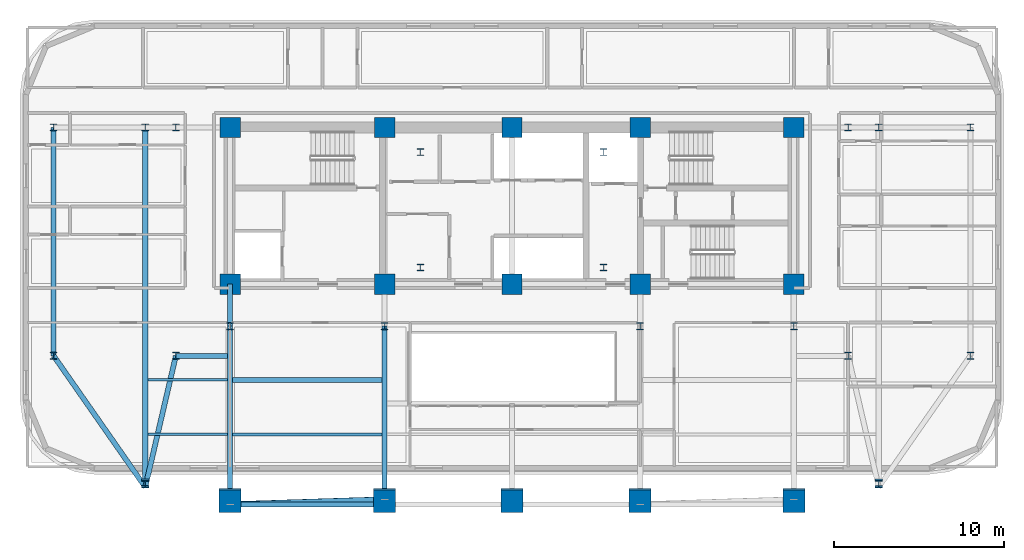
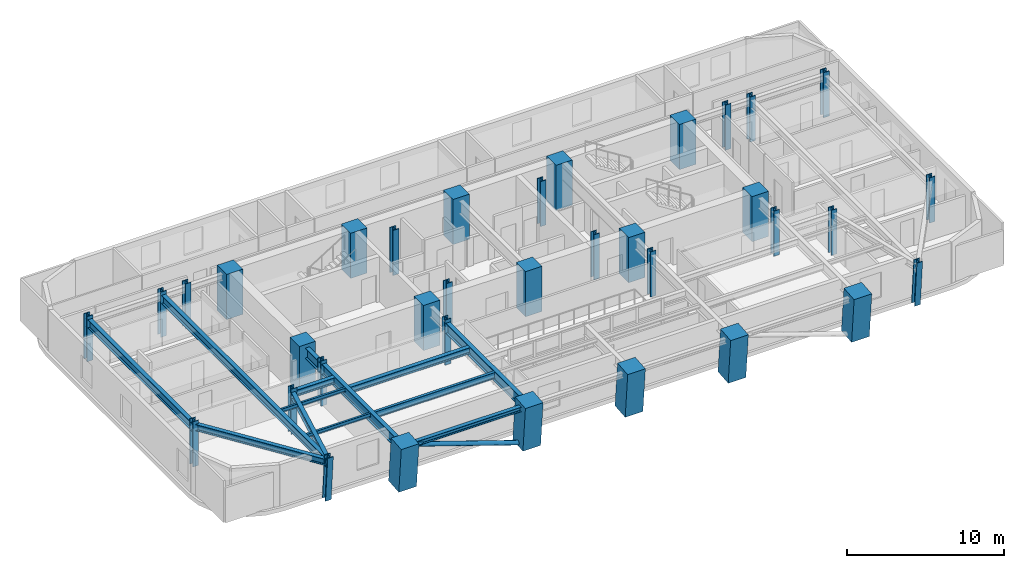
# One storey, part 1 of 14: 35 columns, 13 beams, 1 member.
"""IFC4 building model written with IfcOpenShell, lengths in metres."""

from ifc_helpers import new_model, si_unit, direction, frame, origin, origin_2d, place, context, subcontext, project, spatial, rectangle, hollow_circle, i_section, extrude, material, material_profile, profile_set, type_object, element, save


model = new_model("IFC4")

# Units and contexts
model_context = context("Model", 3, precision=1e-05, world=origin(), true_north=direction((0.0, 1.0)))
body_context = subcontext(model_context, "Body", "Model", "MODEL_VIEW")
ifc_project = project(units=[si_unit("LENGTHUNIT", "METRE"), si_unit("AREAUNIT", "SQUARE_METRE"), si_unit("VOLUMEUNIT", "CUBIC_METRE"), si_unit("PLANEANGLEUNIT", "RADIAN"), si_unit("MASSUNIT", "GRAM", prefix="KILO")], contexts=[model_context])

# Site, building, storey
site_placement = place(None, origin())
site = spatial("IfcSite", under=ifc_project, at=site_placement, CompositionType="ELEMENT")
building_placement = place(site_placement, origin())
building = spatial("IfcBuilding", under=site, at=building_placement, Name="Zarnavel Station Tower", CompositionType="ELEMENT")
storey_placement = place(building_placement, frame((0.0, 0.0, 122.300048828125)))
storey = spatial("IfcBuildingStorey", under=building, at=storey_placement, Name="L33", CompositionType="ELEMENT", Elevation=122.300048828125)

# Columns
ifc_material_1 = material(Name="Steel S460M", Category="steel")
ifc_material_profile_1 = material_profile(ifc_material_1, i_section(OverallWidth=0.41796875, OverallDepth=0.431884765625, WebThickness=0.034912109375, FlangeThickness=0.055908203125, FilletRadius=0.014892578125, at=origin_2d()), Name="HD400x421")
ifc_profile_set_1 = profile_set([ifc_material_profile_1], Name="Steel S460M")
column_type_1 = type_object("IfcColumnType", Name="EC_HD421", PredefinedType="COLUMN", material=ifc_profile_set_1)
for number, where, z_axis, x_axis, name in (
    (1, (1.800048828125, 23.60009765625, 0.0), (0.0, 0.0, 1.0), (1.0, 0.0, 0.0), "L33 Outer Wing South Column 1"),
    (2, (1.800048828125, 37.050048828125, 0.0), (0.0, 0.0, 1.0), (1.0, 0.0, 0.0), "L33 Outer Wing North Column 1"),
):
    element("IfcColumn", number, at=place(storey_placement, frame(where, z_axis=z_axis, x_axis=x_axis)), inside=storey, type_object=column_type_1, Name=name, PredefinedType="COLUMN", context=body_context, shape_type="SweptSolid", body=[
        extrude(i_section(OverallWidth=0.41796875, OverallDepth=0.431884765625, WebThickness=0.034912109375, FlangeThickness=0.055908203125, FilletRadius=0.014892578125, at=origin_2d()), origin(), (0.0, 0.0, 1.0), 3.5),
    ])
for number, where, z_axis, x_axis, name in (
    (3, (7.199951171875, 16.1220703125, 0.0), (0.0, -0.079891690793, 0.996803550226), (1.0, 0.0, 0.0), "L33 Raked Wing Column 2"),
    (4, (50.39990234375, 16.1220703125, 0.0), (0.0, -0.079891690793, 0.996803550226), (1.0, 0.0, 0.0), "L33 Raked Wing Column 3"),
):
    element("IfcColumn", number, at=place(storey_placement, frame(where, z_axis=z_axis, x_axis=x_axis)), inside=storey, type_object=column_type_1, Name=name, PredefinedType="COLUMN", context=body_context, shape_type="SweptSolid", body=[
        extrude(i_section(OverallWidth=0.41796875, OverallDepth=0.431884765625, WebThickness=0.034912109375, FlangeThickness=0.055908203125, FilletRadius=0.014892578125, at=origin_2d()), origin(), (0.0, 0.0, 1.0), 3.51123046875),
    ])
for number, where, z_axis, x_axis, name in (
    (5, (55.800048828125, 23.60009765625, 0.0), (0.0, 0.0, 1.0), (1.0, 0.0, 0.0), "L33 Outer Wing South Column 4"),
    (6, (55.800048828125, 37.050048828125, 0.0), (0.0, 0.0, 1.0), (1.0, 0.0, 0.0), "L33 Outer Wing North Column 4"),
):
    element("IfcColumn", number, at=place(storey_placement, frame(where, z_axis=z_axis, x_axis=x_axis)), inside=storey, type_object=column_type_1, Name=name, PredefinedType="COLUMN", context=body_context, shape_type="SweptSolid", body=[
        extrude(i_section(OverallWidth=0.41796875, OverallDepth=0.431884765625, WebThickness=0.034912109375, FlangeThickness=0.055908203125, FilletRadius=0.014892578125, at=origin_2d()), origin(), (0.0, 0.0, 1.0), 3.5),
    ])
ifc_material_2 = material(Name="Steel S460M", Category="steel")
ifc_material_profile_2 = material_profile(ifc_material_2, i_section(OverallWidth=0.41796875, OverallDepth=0.431884765625, WebThickness=0.034912109375, FlangeThickness=0.055908203125, FilletRadius=0.014892578125, at=origin_2d()), Name="HD400x421")
ifc_profile_set_2 = profile_set([ifc_material_profile_2], Name="Steel S460M")
column_type_2 = type_object("IfcColumnType", Name="IC_HD421", PredefinedType="COLUMN", material=ifc_profile_set_2)
for number, where, z_axis, x_axis, name in (
    (7, (23.39990234375, 28.800048828125, 0.0), (0.0, 0.0, 1.0), (1.0, 0.0, 0.0), "L33 Mast Spine Column 1"),
    (8, (34.199951171875, 28.800048828125, 0.0), (0.0, 0.0, 1.0), (1.0, 0.0, 0.0), "L33 Mast Spine Column 2"),
    (9, (34.199951171875, 35.60009765625, 0.0), (0.0, 0.0, 1.0), (1.0, 0.0, 0.0), "L33 Mast Spine Column 3"),
    (10, (23.39990234375, 35.60009765625, 0.0), (0.0, 0.0, 1.0), (1.0, 0.0, 0.0), "L33 Mast Spine Column 4"),
    (11, (12.199951171875, 25.35009765625, 0.0), (0.0, 0.0, 1.0), (1.0, 0.0, 0.0), "L33 Inner Spine Column 1"),
    (12, (21.300048828125, 25.35009765625, 0.0), (0.0, 0.0, 1.0), (1.0, 0.0, 0.0), "L33 Inner Spine Column 2"),
    (13, (36.35009765625, 25.35009765625, 0.0), (0.0, 0.0, 1.0), (1.0, 0.0, 0.0), "L33 Inner Spine Column 4"),
    (14, (45.39990234375, 25.35009765625, 0.0), (0.0, 0.0, 1.0), (1.0, 0.0, 0.0), "L33 Inner Spine Column 5"),
    (15, (9.0, 23.60009765625, 0.0), (0.0, 0.0, 1.0), (1.0, 0.0, 0.0), "L33 Inner Wing Spine Column 1-1"),
    (16, (9.0, 37.050048828125, 0.0), (0.0, 0.0, 1.0), (1.0, 0.0, 0.0), "L33 Inner Wing Spine Column 1-2"),
    (17, (48.60009765625, 23.60009765625, 0.0), (0.0, 0.0, 1.0), (1.0, 0.0, 0.0), "L33 Inner Wing Spine Column 2-1"),
    (18, (48.60009765625, 37.050048828125, 0.0), (0.0, 0.0, 1.0), (1.0, 0.0, 0.0), "L33 Inner Wing Spine Column 2-2"),
    (19, (7.199951171875, 37.050048828125, 0.0), (0.0, 0.0, 1.0), (1.0, 0.0, 0.0), "L33 Outer Wing North Column 2"),
    (20, (50.39990234375, 37.050048828125, 0.0), (0.0, 0.0, 1.0), (1.0, 0.0, 0.0), "L33 Outer Wing North Column 3"),
):
    element("IfcColumn", number, at=place(storey_placement, frame(where, z_axis=z_axis, x_axis=x_axis)), inside=storey, type_object=column_type_2, Name=name, PredefinedType="COLUMN", context=body_context, shape_type="SweptSolid", body=[
        extrude(i_section(OverallWidth=0.41796875, OverallDepth=0.431884765625, WebThickness=0.034912109375, FlangeThickness=0.055908203125, FilletRadius=0.014892578125, at=origin_2d()), origin(), (0.0, 0.0, 1.0), 3.5),
    ])
ifc_material_3 = material(Name="Concrete C50/60", Category="concrete")
ifc_material_profile_3 = material_profile(ifc_material_3, rectangle(XDim=1.199951171875, YDim=1.199951171875, at=origin_2d()), Name="RC1200x1200")
ifc_profile_set_3 = profile_set([ifc_material_profile_3], Name="Concrete C50/60")
column_type_3 = type_object("IfcColumnType", Name="IC_RC1200", PredefinedType="COLUMN", material=ifc_profile_set_3)
for number, where, z_axis, x_axis, name in (
    (21, (12.199951171875, 27.820068359375, 0.0), (0.0, 0.0, 1.0), (1.0, 0.0, 0.0), "L33 Core Spine Column 1-1"),
    (22, (12.199951171875, 37.050048828125, 0.0), (0.0, 0.0, 1.0), (1.0, 0.0, 0.0), "L33 Core Spine Column 1-2"),
    (23, (21.300048828125, 27.820068359375, 0.0), (0.0, 0.0, 1.0), (1.0, 0.0, 0.0), "L33 Core Spine Column 2-1"),
    (24, (21.300048828125, 37.050048828125, 0.0), (0.0, 0.0, 1.0), (1.0, 0.0, 0.0), "L33 Core Spine Column 2-2"),
    (25, (28.800048828125, 27.820068359375, 0.0), (0.0, 0.0, 1.0), (1.0, 0.0, 0.0), "L33 Core Spine Column 3-1"),
    (26, (28.800048828125, 37.050048828125, 0.0), (0.0, 0.0, 1.0), (1.0, 0.0, 0.0), "L33 Core Spine Column 3-2"),
    (27, (36.35009765625, 27.820068359375, 0.0), (0.0, 0.0, 1.0), (1.0, 0.0, 0.0), "L33 Core Spine Column 4-1"),
    (28, (36.35009765625, 37.050048828125, 0.0), (0.0, 0.0, 1.0), (1.0, 0.0, 0.0), "L33 Core Spine Column 4-2"),
    (29, (45.39990234375, 27.820068359375, 0.0), (0.0, 0.0, 1.0), (1.0, 0.0, 0.0), "L33 Core Spine Column 5-1"),
    (30, (45.39990234375, 37.050048828125, 0.0), (0.0, 0.0, 1.0), (1.0, 0.0, 0.0), "L33 Core Spine Column 5-2"),
):
    element("IfcColumn", number, at=place(storey_placement, frame(where, z_axis=z_axis, x_axis=x_axis)), inside=storey, type_object=column_type_3, Name=name, PredefinedType="COLUMN", context=body_context, shape_type="SweptSolid", body=[
        extrude(rectangle(XDim=1.199951171875, YDim=1.199951171875, at=origin_2d()), origin(), (0.0, 0.0, 1.0), 3.5),
    ])
ifc_material_4 = material(Name="Concrete C60/75", Category="concrete")
ifc_material_profile_4 = material_profile(ifc_material_4, rectangle(XDim=1.300048828125, YDim=1.300048828125, at=origin_2d()), Name="RC1300x1300")
ifc_profile_set_4 = profile_set([ifc_material_profile_4], Name="Concrete C60/75")
column_type_4 = type_object("IfcColumnType", Name="MC_RC1300", PredefinedType="COLUMN", material=ifc_profile_set_4)
for number, where, z_axis, x_axis, name in (
    (31, (12.199951171875, 15.145263671875, 0.0), (0.0, -0.090310252801, 0.995913680114), (1.0, 0.0, 0.0), "L33 Raked South Mega-Column 1"),
    (32, (21.300048828125, 15.145263671875, 0.0), (0.0, -0.090310252801, 0.995913680114), (1.0, 0.0, 0.0), "L33 Raked South Mega-Column 2"),
    (33, (28.800048828125, 15.145263671875, 0.0), (0.0, -0.090310252801, 0.995913680114), (1.0, 0.0, 0.0), "L33 Raked South Mega-Column 3"),
    (34, (36.35009765625, 15.145263671875, 0.0), (0.0, -0.090310252801, 0.995913680114), (1.0, 0.0, 0.0), "L33 Raked South Mega-Column 4"),
    (35, (45.39990234375, 15.145263671875, 0.0), (0.0, -0.090310252801, 0.995913680114), (1.0, 0.0, 0.0), "L33 Raked South Mega-Column 5"),
):
    element("IfcColumn", number, at=place(storey_placement, frame(where, z_axis=z_axis, x_axis=x_axis)), inside=storey, type_object=column_type_4, Name=name, PredefinedType="COLUMN", context=body_context, shape_type="SweptSolid", body=[
        extrude(rectangle(XDim=1.300048828125, YDim=1.300048828125, at=origin_2d()), origin(), (0.0, 0.0, 1.0), 3.514404296875),
    ])

# Member
ifc_material_5 = material(Name="Steel S355J2", Category="steel")
ifc_material_profile_5 = material_profile(ifc_material_5, hollow_circle(Radius=0.161865234375, WallThickness=0.012451171875, at=origin_2d()), Name="CHS323.9x12.5")
ifc_profile_set_5 = profile_set([ifc_material_profile_5], Name="Steel S355J2")
member_type = type_object("IfcMemberType", Name="DB_EXT_CHS324", PredefinedType="BRACE", material=ifc_profile_set_5)
member_placement = place(storey_placement, frame((21.300048828125, 15.145263671875, 0.0), z_axis=(-0.941635675338, -0.030390827854, 0.335259082669), x_axis=(0.032257711549, -0.999479584607, 0.0)))
element("IfcMember", 36, at=member_placement, inside=storey, type_object=member_type, Name="L33 Persian Exterior Diagonal Frame Brace 1", PredefinedType="BRACE", context=body_context, shape_type="SweptSolid", body=[
    extrude(hollow_circle(Radius=0.161865234375, WallThickness=0.012451171875, at=origin_2d()), origin(), (0.0, 0.0, 1.0), 9.6640625),
])

# Beams
ifc_material_6 = material(Name="Steel S355J2", Category="steel")
ifc_material_profile_6 = material_profile(ifc_material_6, i_section(OverallWidth=0.300048828125, OverallDepth=0.360107421875, WebThickness=0.012451171875, FlangeThickness=0.0224609375, FilletRadius=0.027099609375, at=origin_2d()), Name="HEB360")
ifc_profile_set_6 = profile_set([ifc_material_profile_6], Name="Steel S355J2")
beam_type_1 = type_object("IfcBeamType", Name="EB_HEB360", PredefinedType="SPANDREL", material=ifc_profile_set_6)
beam_1_placement = place(storey_placement, frame((12.199951171875, 14.8515625, 3.06005859375), z_axis=(1.0, 0.0, 0.0), x_axis=(0.0, 1.0, 0.0)))
element("IfcBeam", 37, at=beam_1_placement, inside=storey, type_object=beam_type_1, Name="L33 South Raked Spandrel 1", PredefinedType="SPANDREL", context=body_context, shape_type="SweptSolid", body=[
    extrude(i_section(OverallWidth=0.300048828125, OverallDepth=0.360107421875, WebThickness=0.012451171875, FlangeThickness=0.0224609375, FilletRadius=0.027099609375, at=origin_2d()), origin(), (0.0, 0.0, 1.0), 9.10009765625),
])
ifc_material_7 = material(Name="Steel S355J2", Category="steel")
ifc_material_profile_7 = material_profile(ifc_material_7, i_section(OverallWidth=0.300048828125, OverallDepth=0.489990234375, WebThickness=0.011962890625, FlangeThickness=0.02294921875, FilletRadius=0.027099609375, at=origin_2d()), Name="HEA500")
ifc_profile_set_7 = profile_set([ifc_material_profile_7], Name="Steel S355J2")
beam_type_2 = type_object("IfcBeamType", Name="FB_HEA500", PredefinedType="BEAM", material=ifc_profile_set_7)
beam_2_placement = place(storey_placement, frame((12.344970703125, 22.183837890625, 2.994873046875), z_axis=(1.0, 0.0, 0.0), x_axis=(0.0, 1.0, 0.0)))
element("IfcBeam", 38, at=beam_2_placement, inside=storey, type_object=beam_type_2, Name="L33 West Bay Beam 2", PredefinedType="BEAM", context=body_context, shape_type="SweptSolid", body=[
    extrude(i_section(OverallWidth=0.300048828125, OverallDepth=0.489990234375, WebThickness=0.011962890625, FlangeThickness=0.02294921875, FilletRadius=0.027099609375, at=origin_2d()), origin(), (0.0, 0.0, 1.0), 8.81005859375),
])
ifc_material_8 = material(Name="Steel S355J2", Category="steel")
ifc_material_profile_8 = material_profile(ifc_material_8, i_section(OverallWidth=0.199951171875, OverallDepth=0.5, WebThickness=0.01025390625, FlangeThickness=0.01611328125, FilletRadius=0.02099609375, at=origin_2d()), Name="IPE500")
ifc_profile_set_8 = profile_set([ifc_material_profile_8], Name="Steel S355J2")
beam_type_3 = type_object("IfcBeamType", Name="FB_IPE500", PredefinedType="BEAM", material=ifc_profile_set_8)
beam_3_placement = place(storey_placement, frame((12.344970703125, 18.9677734375, 2.989990234375), z_axis=(1.0, 0.0, 0.0), x_axis=(0.0, 1.0, 0.0)))
element("IfcBeam", 39, at=beam_3_placement, inside=storey, type_object=beam_type_3, Name="L33 West Bay Beam 1", PredefinedType="BEAM", context=body_context, shape_type="SweptSolid", body=[
    extrude(i_section(OverallWidth=0.199951171875, OverallDepth=0.5, WebThickness=0.01025390625, FlangeThickness=0.01611328125, FilletRadius=0.02099609375, at=origin_2d()), origin(), (0.0, 0.0, 1.0), 8.81005859375),
])
ifc_material_9 = material(Name="Steel S355J2", Category="steel")
ifc_material_profile_9 = material_profile(ifc_material_9, i_section(OverallWidth=0.300048828125, OverallDepth=0.5, WebThickness=0.014404296875, FlangeThickness=0.028076171875, FilletRadius=0.027099609375, at=origin_2d()), Name="HEB500")
ifc_profile_set_9 = profile_set([ifc_material_profile_9], Name="Steel S355J2")
beam_type_4 = type_object("IfcBeamType", Name="FG_HEB500", PredefinedType="USERDEFINED", material=ifc_profile_set_9)
beam_4_placement = place(storey_placement, frame((1.800048828125, 23.60009765625, 2.989990234375), z_axis=(0.572284391616, -0.820055226868, 0.0), x_axis=(0.820055226868, 0.572284391616, 0.0)))
element("IfcBeam", 40, at=beam_4_placement, inside=storey, type_object=beam_type_4, Name="L33 West Wing South Tie 1", ObjectType="GIRDER", PredefinedType="USERDEFINED", context=body_context, shape_type="SweptSolid", body=[
    extrude(i_section(OverallWidth=0.300048828125, OverallDepth=0.5, WebThickness=0.014404296875, FlangeThickness=0.028076171875, FilletRadius=0.027099609375, at=origin_2d()), origin(), (0.0, 0.0, 1.0), 9.435791015625),
])
beam_5_placement = place(storey_placement, frame((7.199951171875, 15.8623046875, 2.989990234375), z_axis=(0.226580616964, 0.973992414763, 0.0), x_axis=(-0.973992414763, 0.226580616964, 0.0)))
element("IfcBeam", 41, at=beam_5_placement, inside=storey, type_object=beam_type_4, Name="L33 West Wing South Tie 2", ObjectType="GIRDER", PredefinedType="USERDEFINED", context=body_context, shape_type="SweptSolid", body=[
    extrude(i_section(OverallWidth=0.300048828125, OverallDepth=0.5, WebThickness=0.014404296875, FlangeThickness=0.028076171875, FilletRadius=0.027099609375, at=origin_2d()), origin(), (0.0, 0.0, 1.0), 7.9443359375),
])
beam_6_placement = place(storey_placement, frame((9.0, 23.60009765625, 2.989990234375), z_axis=(1.0, 0.0, 0.0), x_axis=(0.0, 1.0, 0.0)))
element("IfcBeam", 42, at=beam_6_placement, inside=storey, type_object=beam_type_4, Name="L33 West Wing South Tie 3", ObjectType="GIRDER", PredefinedType="USERDEFINED", context=body_context, shape_type="SweptSolid", body=[
    extrude(i_section(OverallWidth=0.300048828125, OverallDepth=0.5, WebThickness=0.014404296875, FlangeThickness=0.028076171875, FilletRadius=0.027099609375, at=origin_2d()), origin(), (0.0, 0.0, 1.0), 3.054931640625),
])
ifc_material_10 = material(Name="Steel S355J2", Category="steel")
ifc_material_profile_10 = material_profile(ifc_material_10, i_section(OverallWidth=0.300048828125, OverallDepth=0.64990234375, WebThickness=0.01611328125, FlangeThickness=0.031005859375, FilletRadius=0.027099609375, at=origin_2d()), Name="HEB650")
ifc_profile_set_10 = profile_set([ifc_material_profile_10], Name="Steel S355J2")
beam_type_5 = type_object("IfcBeamType", Name="FG_HEB650", PredefinedType="USERDEFINED", material=ifc_profile_set_10)
beam_7_placement = place(storey_placement, frame((1.800048828125, 23.60009765625, 2.9150390625), z_axis=(0.0, 1.0, 0.0), x_axis=(-1.0, 0.0, 0.0)))
element("IfcBeam", 43, at=beam_7_placement, inside=storey, type_object=beam_type_5, Name="L33 Wing NS Girder 1", ObjectType="GIRDER", PredefinedType="USERDEFINED", context=body_context, shape_type="SweptSolid", body=[
    extrude(i_section(OverallWidth=0.300048828125, OverallDepth=0.64990234375, WebThickness=0.01611328125, FlangeThickness=0.031005859375, FilletRadius=0.027099609375, at=origin_2d()), origin(), (0.0, 0.0, 1.0), 13.449951171875),
])
beam_8_placement = place(storey_placement, frame((7.199951171875, 15.8623046875, 2.9150390625), z_axis=(0.0, 1.0, 0.0), x_axis=(-1.0, 0.0, 0.0)))
element("IfcBeam", 44, at=beam_8_placement, inside=storey, type_object=beam_type_5, Name="L33 Wing NS Girder 2", ObjectType="GIRDER", PredefinedType="USERDEFINED", context=body_context, shape_type="SweptSolid", body=[
    extrude(i_section(OverallWidth=0.300048828125, OverallDepth=0.64990234375, WebThickness=0.01611328125, FlangeThickness=0.031005859375, FilletRadius=0.027099609375, at=origin_2d()), origin(), (0.0, 0.0, 1.0), 21.187744140625),
])
ifc_material_11 = material(Name="Steel S460M", Category="steel")
ifc_material_profile_11 = material_profile(ifc_material_11, i_section(OverallWidth=0.302978515625, OverallDepth=0.81396484375, WebThickness=0.02099609375, FlangeThickness=0.0400390625, FilletRadius=0.030029296875, at=origin_2d()), Name="HEM800")
ifc_profile_set_11 = profile_set([ifc_material_profile_11], Name="Steel S460M")
beam_type_6 = type_object("IfcBeamType", Name="FG_HEM800", PredefinedType="USERDEFINED", material=ifc_profile_set_11)
beam_9_placement = place(storey_placement, frame((12.199951171875, 14.8515625, 2.8330078125), z_axis=(0.0, 1.0, 0.0), x_axis=(-1.0, 0.0, 0.0)))
element("IfcBeam", 45, at=beam_9_placement, inside=storey, type_object=beam_type_6, Name="L33 South-Zone NS Girder 1", ObjectType="GIRDER", PredefinedType="USERDEFINED", context=body_context, shape_type="SweptSolid", body=[
    extrude(i_section(OverallWidth=0.302978515625, OverallDepth=0.81396484375, WebThickness=0.02099609375, FlangeThickness=0.0400390625, FilletRadius=0.030029296875, at=origin_2d()), origin(), (0.0, 0.0, 1.0), 10.49853515625),
])
beam_10_placement = place(storey_placement, frame((12.199951171875, 25.35009765625, 2.8330078125), z_axis=(0.0, 1.0, 0.0), x_axis=(-1.0, 0.0, 0.0)))
element("IfcBeam", 46, at=beam_10_placement, inside=storey, type_object=beam_type_6, Name="L33 Inner-Zone NS Girder 1", ObjectType="GIRDER", PredefinedType="USERDEFINED", context=body_context, shape_type="SweptSolid", body=[
    extrude(i_section(OverallWidth=0.302978515625, OverallDepth=0.81396484375, WebThickness=0.02099609375, FlangeThickness=0.0400390625, FilletRadius=0.030029296875, at=origin_2d()), origin(), (0.0, 0.0, 1.0), 2.469970703125),
])
beam_11_placement = place(storey_placement, frame((21.300048828125, 14.8515625, 2.8330078125), z_axis=(0.0, 1.0, 0.0), x_axis=(-1.0, 0.0, 0.0)))
element("IfcBeam", 47, at=beam_11_placement, inside=storey, type_object=beam_type_6, Name="L33 South-Zone NS Girder 2", ObjectType="GIRDER", PredefinedType="USERDEFINED", context=body_context, shape_type="SweptSolid", body=[
    extrude(i_section(OverallWidth=0.302978515625, OverallDepth=0.81396484375, WebThickness=0.02099609375, FlangeThickness=0.0400390625, FilletRadius=0.030029296875, at=origin_2d()), origin(), (0.0, 0.0, 1.0), 10.49853515625),
])
ifc_material_12 = material(Name="Steel S355J2", Category="steel")
ifc_material_profile_12 = material_profile(ifc_material_12, i_section(OverallWidth=0.14990234375, OverallDepth=0.300048828125, WebThickness=0.007080078125, FlangeThickness=0.0107421875, FilletRadius=0.014892578125, at=origin_2d()), Name="IPE300")
ifc_profile_set_12 = profile_set([ifc_material_profile_12], Name="Steel S355J2")
beam_type_7 = type_object("IfcBeamType", Name="FJ_IPE300", PredefinedType="JOIST", material=ifc_profile_set_12)
for number, where, z_axis, x_axis, name in (
    (48, (7.344970703125, 18.9677734375, 3.08984375), (1.0, 0.0, 0.0), (0.0, 1.0, 0.0), "L33 West Wing Joist 1"),
    (49, (7.344970703125, 22.183837890625, 3.08984375), (1.0, 0.0, 0.0), (0.0, 1.0, 0.0), "L33 West Wing Joist 2"),
):
    element("IfcBeam", number, at=place(storey_placement, frame(where, z_axis=z_axis, x_axis=x_axis)), inside=storey, type_object=beam_type_7, Name=name, PredefinedType="JOIST", context=body_context, shape_type="SweptSolid", body=[
        extrude(i_section(OverallWidth=0.14990234375, OverallDepth=0.300048828125, WebThickness=0.007080078125, FlangeThickness=0.0107421875, FilletRadius=0.014892578125, at=origin_2d()), origin(), (0.0, 0.0, 1.0), 4.7099609375),
    ])

save(model, "model.ifc")
